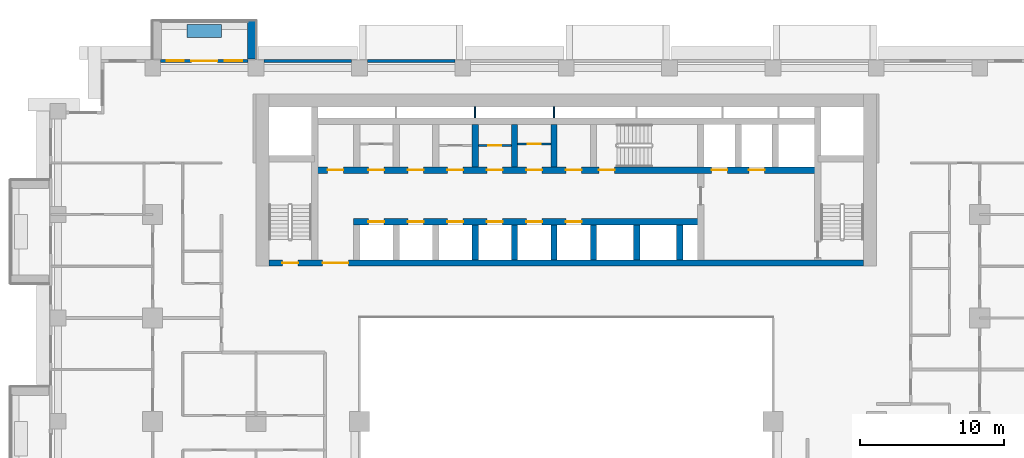
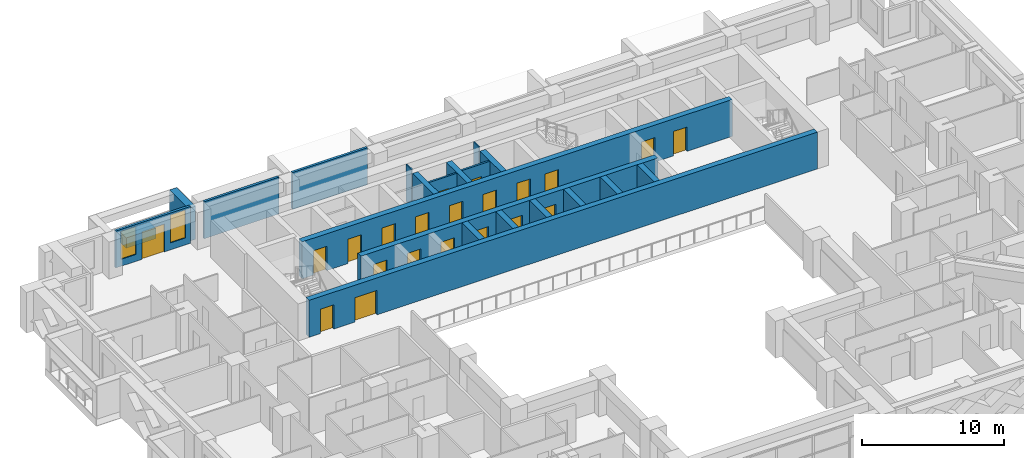
# One storey, part 10 of 17: 21 doors, 21 walls, 2 windows, 23 openings.
"""IFC4 building model written with IfcOpenShell, lengths in metres."""

import ifcopenshell
import ifcopenshell.guid

model = None  # the IFC model being written
_history = None  # IfcOwnerHistory: only IFC2X3 demands one
_inside = {}  # id of a spatial element -> (the spatial element, [elements in it])
_under = {}  # id of a project, library or spatial element -> (it, [spatial elements below it])
_declared = {}  # id of a project -> (the project, [libraries it declares])
_typed = {}  # id of a type object -> (the type object, [elements of that type])
_made_of = {}  # id of a material, layer set ... -> (it, [elements and type objects made of it])


def new_model(schema):
    """Start an empty IFC model of exactly this schema.

    Asked for "IFC4X3", IfcOpenShell would pick the latest addendum, in which some entities
    have other attributes; the version numbers below select the first issue.
    IFC2X3 requires an IfcOwnerHistory on every rooted entity: one is made here for all.
    """
    global model, _history
    if schema == "IFC4X3":
        model = ifcopenshell.file(schema_version=(4, 3, 0, 0))
    else:
        model = ifcopenshell.file(schema=schema)
    _inside.clear()
    _under.clear()
    _declared.clear()
    _typed.clear()
    _made_of.clear()
    _history = None
    if model.schema == "IFC2X3":
        org = make("IfcOrganization", Name="unknown")
        user = make(
            "IfcPersonAndOrganization",
            ThePerson=make("IfcPerson", FamilyName="unknown"),
            TheOrganization=org,
        )
        app = make(
            "IfcApplication",
            ApplicationDeveloper=org,
            Version="unknown",
            ApplicationFullName="unknown",
            ApplicationIdentifier="unknown",
        )
        _history = make(
            "IfcOwnerHistory",
            OwningUser=user,
            OwningApplication=app,
            ChangeAction="ADDED",
            CreationDate=0,
        )
    return model


def make(cls, **values):
    """One entity of the class cls with the attributes given. An attribute that is None is left unset."""
    return model.create_entity(
        cls, **{name: value for name, value in values.items() if value is not None}
    )


def rooted(cls, **values):
    """An entity with a GlobalId (a new one), such as an element, a storey or a relation."""
    return make(cls, GlobalId=ifcopenshell.guid.new(), OwnerHistory=_history, **values)


def si_unit(unit_type, name, prefix=None):
    """IfcSIUnit, for example si_unit("LENGTHUNIT", "METRE", prefix="MILLI")."""
    return make("IfcSIUnit", UnitType=unit_type, Prefix=prefix, Name=name)


def assignment(units):
    """IfcUnitAssignment: the units of a project."""
    return None if units is None else make("IfcUnitAssignment", Units=units)


def point(xyz):
    """IfcCartesianPoint."""
    return None if xyz is None else make("IfcCartesianPoint", Coordinates=xyz)


def direction(xyz):
    """IfcDirection."""
    return None if xyz is None else make("IfcDirection", DirectionRatios=xyz)


def frame(location, z_axis=None, x_axis=None):
    """IfcAxis2Placement3D, a coordinate frame: its origin and axes. An axis left out is left unset."""
    return make(
        "IfcAxis2Placement3D",
        Location=point(location),
        Axis=direction(z_axis),
        RefDirection=direction(x_axis),
    )


def frame_2d(location, x_axis=None):
    """IfcAxis2Placement2D, a coordinate frame in the plane: its origin and x axis."""
    return make(
        "IfcAxis2Placement2D", Location=point(location), RefDirection=direction(x_axis)
    )


def origin():
    """The frame at (0, 0, 0) with its axes left unset."""
    return frame((0.0, 0.0, 0.0))


def place(relative_to, where):
    """IfcLocalPlacement: puts the frame where relative to a parent placement (None: the world)."""
    return make(
        "IfcLocalPlacement", PlacementRelTo=relative_to, RelativePlacement=where
    )


def context(
    kind, dimensions, precision=None, world=None, true_north=None, identifier=None
):
    """IfcGeometricRepresentationContext, for example the 3D "Model" context."""
    return make(
        "IfcGeometricRepresentationContext",
        ContextIdentifier=identifier,
        ContextType=kind,
        CoordinateSpaceDimension=dimensions,
        Precision=precision,
        WorldCoordinateSystem=world,
        TrueNorth=true_north,
    )


def subcontext(parent, identifier, kind, view, scale=None):
    """IfcGeometricRepresentationSubContext, for example "Body" below "Model"."""
    return make(
        "IfcGeometricRepresentationSubContext",
        ContextIdentifier=identifier,
        ContextType=kind,
        ParentContext=parent,
        TargetScale=scale,
        TargetView=view,
    )


def project(units=None, contexts=None):
    """IfcProject with its units and contexts."""
    return rooted(
        "IfcProject",
        Name="project",
        RepresentationContexts=contexts,
        UnitsInContext=assignment(units),
    )


def spatial(cls, under=None, at=None, **own):
    """A site, building, storey or space (cls), placed at a placement, below another one or the project."""
    s = rooted(cls, ObjectPlacement=at, **own)
    if under is not None:
        _under.setdefault(under.id(), (under, []))[1].append(s)
    return s


def profile(cls, at=None, kind="AREA", **sizes):
    """A parametric profile (cls). Its sizes go by their IFC names, for example OverallWidth=200.0."""
    return make(cls, ProfileType=kind, Position=at, **sizes)


def rectangle(**sizes):
    """IfcRectangleProfileDef."""
    return profile("IfcRectangleProfileDef", **sizes)


def extrude(swept, where, along, depth):
    """IfcExtrudedAreaSolid: the profile swept, set in the frame where, extruded along a direction by depth."""
    return make(
        "IfcExtrudedAreaSolid",
        SweptArea=swept,
        Position=where,
        ExtrudedDirection=direction(along),
        Depth=depth,
    )


def shape(context_of_items, identifier, shape_type, items):
    """IfcShapeRepresentation: the items that make up one representation, for example the "Body"."""
    return make(
        "IfcShapeRepresentation",
        ContextOfItems=context_of_items,
        RepresentationIdentifier=identifier,
        RepresentationType=shape_type,
        Items=items,
    )


def material(Name=None, Category=None):
    """IfcMaterial."""
    return make("IfcMaterial", Name=Name, Category=Category)


def layer(
    of_material, thickness, ventilated=None, Name=None, Category=None, Priority=None
):
    """IfcMaterialLayer: one layer of a wall or slab, of a material (None: an air gap)."""
    return make(
        "IfcMaterialLayer",
        Material=of_material,
        LayerThickness=thickness,
        IsVentilated=ventilated,
        Name=Name,
        Category=Category,
        Priority=Priority,
    )


def layer_set(layers, Name=None):
    """IfcMaterialLayerSet."""
    return make("IfcMaterialLayerSet", MaterialLayers=layers, LayerSetName=Name)


def made_of(thing, what):
    """Note that an element or type object is made of a material, layer set ...; save() writes the relation."""
    if what is not None:
        _made_of.setdefault(what.id(), (what, []))[1].append(thing)
    return thing


def type_object(cls, material=None, **own):
    """A type object (cls), such as IfcWallType, which elements share."""
    return made_of(rooted(cls, **own), material)


def element(
    cls,
    number,
    at=None,
    inside=None,
    cuts=None,
    type_object=None,
    material=None,
    context=None,
    identifier="Body",
    shape_type=None,
    held_by="IfcProductDefinitionShape",
    body=None,
    shapes=None,
    **own,
):
    """One element of the class cls, such as IfcWall. Its Tag is "e" and its number.

    at: its placement. inside: the storey or other place that contains it. cuts: it is an
    opening in that element (IfcRelVoidsElement). A single representation is given by context,
    identifier, shape_type and body (its items); several are given by shapes. held_by: the class
    of the entity that holds the representations. save() writes the other relations.
    """
    e = rooted(cls, Tag="e%d" % number, ObjectPlacement=at, **own)
    if body is not None:
        shapes = [shape(context, identifier, shape_type, body)]
    if shapes is not None:
        e.Representation = make(held_by, Representations=shapes)
    if inside is not None:
        _inside.setdefault(inside.id(), (inside, []))[1].append(e)
    if cuts is not None:
        rooted(
            "IfcRelVoidsElement", RelatingBuildingElement=cuts, RelatedOpeningElement=e
        )
    if type_object is not None:
        _typed.setdefault(type_object.id(), (type_object, []))[1].append(e)
    return made_of(e, material)


def fill(opening, filler):
    """IfcRelFillsElement: the door or window that sits in an opening."""
    return rooted(
        "IfcRelFillsElement",
        RelatingOpeningElement=opening,
        RelatedBuildingElement=filler,
    )


def aggregate(whole, parts):
    """IfcRelAggregates: a whole, such as a stair, and the parts it consists of."""
    return rooted("IfcRelAggregates", RelatingObject=whole, RelatedObjects=parts)


def save(model, path):
    """Write the relations noted so far, then the file.

    IfcRelAggregates (storeys below a building ...), IfcRelContainedInSpatialStructure (elements
    in a storey), IfcRelDefinesByType, IfcRelAssociatesMaterial and IfcRelDeclares: one each for
    every whole, place, type object, material and project.
    """
    for whole, parts in _under.values():
        aggregate(whole, parts)
    for where, things in _inside.values():
        rooted(
            "IfcRelContainedInSpatialStructure",
            RelatedElements=things,
            RelatingStructure=where,
        )
    for kind, things in _typed.values():
        rooted("IfcRelDefinesByType", RelatedObjects=things, RelatingType=kind)
    for what, things in _made_of.values():
        rooted("IfcRelAssociatesMaterial", RelatedObjects=things, RelatingMaterial=what)
    for by, libraries in _declared.values():
        rooted("IfcRelDeclares", RelatingContext=by, RelatedDefinitions=libraries)
    model.write(path)


model = new_model("IFC4")

# Units and contexts
model_context = context("Model", 3, precision=1e-05, world=origin(), true_north=direction((0.0, 1.0)))
body_context = subcontext(model_context, "Body", "Model", "MODEL_VIEW")
ifc_project = project(units=[si_unit("LENGTHUNIT", "METRE"), si_unit("AREAUNIT", "SQUARE_METRE"), si_unit("VOLUMEUNIT", "CUBIC_METRE"), si_unit("PLANEANGLEUNIT", "RADIAN"), si_unit("MASSUNIT", "GRAM", prefix="KILO")], contexts=[model_context])

# Site, building, storey
site_placement = place(None, origin())
site = spatial("IfcSite", under=ifc_project, at=site_placement, CompositionType="ELEMENT")
building_placement = place(site_placement, origin())
building = spatial("IfcBuilding", under=site, at=building_placement, Name="Saffron Iwan Residences", CompositionType="ELEMENT")
storey_placement = place(building_placement, frame((0.0, 0.0, 34.0)))
storey = spatial("IfcBuildingStorey", under=building, at=storey_placement, Name="L07", CompositionType="ELEMENT", Elevation=34.0)

# Walls
ifc_material_1 = material(Name="Concrete C50/60 white painted", Category="concrete")
ifc_layer_1 = layer(ifc_material_1, 0.60009765625)
ifc_layer_set_1 = layer_set([ifc_layer_1], Name="Concrete C50/60 white painted")
wall_type_1 = type_object("IfcWallType", Name="BALCONY FIN 600", PredefinedType="SOLIDWALL", material=ifc_layer_set_1)
wall_1_placement = place(storey_placement, frame((28.5, 80.449951171875, 0.0), z_axis=(0.0, 0.0, 1.0), x_axis=(0.0, 1.0, 0.0)))
element("IfcWall", 1, at=wall_1_placement, inside=storey, type_object=wall_type_1, Name="Balcony fin L07 F5-3a", PredefinedType="SOLIDWALL", context=body_context, shape_type="SweptSolid", body=[
    extrude(rectangle(XDim=2.650146484375, YDim=0.60009765625, at=frame_2d((1.3251953125, 0.0))), origin(), (0.0, 0.0, 1.0), 2.85009765625),
])
ifc_material_2 = material(Name="Concrete C35/45 white painted", Category="concrete")
ifc_layer_2 = layer(ifc_material_2, 0.14990234375)
ifc_layer_set_2 = layer_set([ifc_layer_2], Name="Concrete C35/45 white painted")
wall_type_2 = type_object("IfcWallType", Name="BALCONY PLANTER", PredefinedType="SOLIDWALL", material=ifc_layer_set_2)
wall_2_placement = place(storey_placement, frame((26.39990234375, 82.375, 0.0), z_axis=(0.0, 0.0, 1.0), x_axis=(-1.0, 0.0, 0.0)))
element("IfcWall", 2, at=wall_2_placement, inside=storey, type_object=wall_type_2, Name="PLANTER L07 F5-3", PredefinedType="SOLIDWALL", context=body_context, shape_type="SweptSolid", body=[
    extrude(rectangle(XDim=2.39990234375, YDim=0.89990234375, at=frame_2d((1.199951171875, 0.0))), origin(), (0.0, 0.0, 1.0), 0.89990234375),
])

# Wall, opening, door
ifc_material_3 = material(Name="Fire-rated plasterboard partition")
ifc_layer_3 = layer(ifc_material_3, 0.14990234375)
ifc_layer_set_3 = layer_set([ifc_layer_3], Name="Fire-rated plasterboard partition")
wall_type_3 = type_object("IfcWallType", Name="Core partition 150", PredefinedType="PARTITIONING", material=ifc_layer_set_3)
wall_3_placement = place(storey_placement, frame((44.27490234375, 74.39990234375, 0.0), z_axis=(0.0, 0.0, 1.0), x_axis=(1.0, 0.0, 0.0)))
wall_3 = element("IfcWall", 3, at=wall_3_placement, inside=storey, type_object=wall_type_3, Name="Core partition P03", PredefinedType="PARTITIONING", context=body_context, shape_type="SweptSolid", body=[
    extrude(rectangle(XDim=2.300048828125, YDim=0.14990234375, at=frame_2d((1.14990234375, 0.0))), origin(), (0.0, 0.0, 1.0), 3.179931640625),
])
opening_1_placement = place(wall_3_placement, frame((0.699951171875, 0.0, 0.0)))
opening_1 = element("IfcOpeningElement", 4, at=opening_1_placement, cuts=wall_3, Name="Opening SB", PredefinedType="OPENING", context=body_context, shape_type="SweptSolid", body=[
    extrude(rectangle(XDim=0.89990234375, YDim=2.10009765625, at=frame_2d((0.449951171875, 1.050048828125))), frame((0.0, 0.0849609375, 0.0), z_axis=(0.0, -1.0, 0.0), x_axis=(1.0, 0.0, 0.0)), (0.0, 0.0, 1.0), 0.169921875),
])
ifc_material_4 = material(Name="Steel fire door", Category="steel")
door_type_1 = type_object("IfcDoorType", Name="Store door 900", OperationType="NOTDEFINED", PredefinedType="DOOR", material=ifc_material_4)
door_1_placement = place(opening_1_placement, origin())
door_1 = element("IfcDoor", 5, at=door_1_placement, inside=storey, type_object=door_type_1, Name="Door Cabling room", OperationType="SINGLE_SWING_RIGHT", OverallHeight=2.10009765625, OverallWidth=0.89990234375, PredefinedType="DOOR", context=body_context, shape_type="SweptSolid", body=[
    extrude(rectangle(XDim=0.89990234375, YDim=2.10009765625, at=frame_2d((0.449951171875, 1.050048828125))), frame((0.0, 0.02490234375, 0.0), z_axis=(0.0, -1.0, 0.0), x_axis=(1.0, 0.0, 0.0)), (0.0, 0.0, 1.0), 0.050048828125),
])
fill(opening_1, door_1)

wall_4_placement = place(storey_placement, frame((47.02490234375, 74.51806640625, 0.0), z_axis=(0.0, 0.0, 1.0), x_axis=(1.0, 0.0, 0.0)))
wall_4 = element("IfcWall", 6, at=wall_4_placement, inside=storey, type_object=wall_type_3, Name="Core partition P04", PredefinedType="PARTITIONING", context=body_context, shape_type="SweptSolid", body=[
    extrude(rectangle(XDim=2.300048828125, YDim=0.14990234375, at=frame_2d((1.14990234375, 0.0))), origin(), (0.0, 0.0, 1.0), 3.179931640625),
])
opening_2_placement = place(wall_4_placement, frame((0.699951171875, 0.0, 0.0)))
opening_2 = element("IfcOpeningElement", 7, at=opening_2_placement, cuts=wall_4, Name="Opening SB", PredefinedType="OPENING", context=body_context, shape_type="SweptSolid", body=[
    extrude(rectangle(XDim=0.89990234375, YDim=2.10009765625, at=frame_2d((0.449951171875, 1.050048828125))), frame((0.0, 0.0849609375, 0.0), z_axis=(0.0, -1.0, 0.0), x_axis=(1.0, 0.0, 0.0)), (0.0, 0.0, 1.0), 0.169921875),
])
door_2_placement = place(opening_2_placement, origin())
door_2 = element("IfcDoor", 8, at=door_2_placement, inside=storey, type_object=door_type_1, Name="Door Equipment store", OperationType="SINGLE_SWING_RIGHT", OverallHeight=2.10009765625, OverallWidth=0.89990234375, PredefinedType="DOOR", context=body_context, shape_type="SweptSolid", body=[
    extrude(rectangle(XDim=0.89990234375, YDim=2.10009765625, at=frame_2d((0.449951171875, 1.050048828125))), frame((0.0, 0.02490234375, 0.0), z_axis=(0.0, -1.0, 0.0), x_axis=(1.0, 0.0, 0.0)), (0.0, 0.0, 1.0), 0.050048828125),
])
fill(opening_2, door_2)

# Walls
ifc_material_5 = material(Name="Concrete C40/50", Category="concrete")
ifc_layer_4 = layer(ifc_material_5, 0.199951171875)
ifc_layer_set_4 = layer_set([ifc_layer_4], Name="Concrete C40/50")
wall_type_4 = type_object("IfcWallType", Name="EXTERNAL WALL 200", PredefinedType="SOLIDWALL", material=ifc_layer_set_4)
for number, where, z_axis, x_axis, name in (
    (9, (42.64990234375, 80.300048828125, 0.0), (0.0, 0.0, 1.0), (-1.0, 0.0, 0.0), "External wall L07 F5.6"),
    (10, (35.449951171875, 80.300048828125, 0.0), (0.0, 0.0, 1.0), (-1.0, 0.0, 0.0), "External wall L07 F5.7"),
):
    element("IfcWall", number, at=place(storey_placement, frame(where, z_axis=z_axis, x_axis=x_axis)), inside=storey, type_object=wall_type_4, Name=name, PredefinedType="SOLIDWALL", context=body_context, shape_type="SweptSolid", body=[
        extrude(rectangle(XDim=6.099853515625, YDim=0.199951171875, at=frame_2d((3.0498046875, 0.0))), origin(), (0.0, 0.0, 1.0), 3.179931640625),
    ])

# Wall, openings, door, windows
wall_5_placement = place(storey_placement, frame((28.25, 80.300048828125, 0.0), z_axis=(0.0, 0.0, 1.0), x_axis=(-1.0, 0.0, 0.0)))
wall_5 = element("IfcWall", 11, at=wall_5_placement, inside=storey, type_object=wall_type_4, Name="External wall L07 F5.8", PredefinedType="SOLIDWALL", context=body_context, shape_type="SweptSolid", body=[
    extrude(rectangle(XDim=6.10009765625, YDim=0.199951171875, at=frame_2d((3.050048828125, 0.0))), origin(), (0.0, 0.0, 1.0), 3.179931640625),
])
opening_3_placement = place(wall_5_placement, frame((2.14990234375, 0.0, 0.0)))
opening_3 = element("IfcOpeningElement", 12, at=opening_3_placement, cuts=wall_5, Name="Opening BD1", PredefinedType="OPENING", context=body_context, shape_type="SweptSolid", body=[
    extrude(rectangle(XDim=1.800048828125, YDim=2.39990234375, at=frame_2d((0.89990234375, 1.199951171875))), frame((0.0, 0.10986328125, 0.0), z_axis=(0.0, -1.0, 0.0), x_axis=(1.0, 0.0, 0.0)), (0.0, 0.0, 1.0), 0.219970703125),
])
opening_4_placement = place(wall_5_placement, frame((0.425048828125, 0.0, 0.60009765625)))
opening_4 = element("IfcOpeningElement", 13, at=opening_4_placement, cuts=wall_5, Name="Opening W3", PredefinedType="OPENING", context=body_context, shape_type="SweptSolid", body=[
    extrude(rectangle(XDim=1.199951171875, YDim=2.39990234375, at=frame_2d((0.60009765625, 1.199951171875))), frame((0.0, 0.10986328125, 0.0), z_axis=(0.0, -1.0, 0.0), x_axis=(1.0, 0.0, 0.0)), (0.0, 0.0, 1.0), 0.219970703125),
])
opening_5_placement = place(wall_5_placement, frame((4.47509765625, 0.0, 0.60009765625)))
opening_5 = element("IfcOpeningElement", 14, at=opening_5_placement, cuts=wall_5, Name="Opening W3", PredefinedType="OPENING", context=body_context, shape_type="SweptSolid", body=[
    extrude(rectangle(XDim=1.199951171875, YDim=2.39990234375, at=frame_2d((0.60009765625, 1.199951171875))), frame((0.0, 0.10986328125, 0.0), z_axis=(0.0, -1.0, 0.0), x_axis=(1.0, 0.0, 0.0)), (0.0, 0.0, 1.0), 0.219970703125),
])
ifc_material_6 = material(Name="Clear glass, laminated double glazed", Category="glass")
door_type_2 = type_object("IfcDoorType", Name="BALCONY DOOR 1800 x 2400", OperationType="DOUBLE_DOOR_SLIDING", PredefinedType="DOOR", material=ifc_material_6)
door_3_placement = place(opening_3_placement, origin())
door_3 = element("IfcDoor", 15, at=door_3_placement, inside=storey, type_object=door_type_2, Name="Balcony door L07 F5.0", OperationType="DOUBLE_DOOR_SLIDING", OverallHeight=2.39990234375, OverallWidth=1.800048828125, PredefinedType="DOOR", context=body_context, shape_type="SweptSolid", body=[
    extrude(rectangle(XDim=1.800048828125, YDim=2.39990234375, at=frame_2d((0.89990234375, 1.199951171875))), frame((0.0, 0.02490234375, 0.0), z_axis=(0.0, -1.0, 0.0), x_axis=(1.0, 0.0, 0.0)), (0.0, 0.0, 1.0), 0.050048828125),
])
fill(opening_3, door_3)
window_type = type_object("IfcWindowType", Name="WINDOW 1200 x 2400", PartitioningType="SINGLE_PANEL", PredefinedType="WINDOW", material=ifc_material_6)
window_1_placement = place(opening_4_placement, origin())
window_1 = element("IfcWindow", 16, at=window_1_placement, inside=storey, type_object=window_type, Name="Window L07 F5.1", OverallHeight=2.39990234375, OverallWidth=1.199951171875, PartitioningType="SINGLE_PANEL", PredefinedType="WINDOW", context=body_context, shape_type="SweptSolid", body=[
    extrude(rectangle(XDim=1.199951171875, YDim=2.39990234375, at=frame_2d((0.60009765625, 1.199951171875))), frame((0.0, 0.030029296875, 0.0), z_axis=(0.0, -1.0, 0.0), x_axis=(1.0, 0.0, 0.0)), (0.0, 0.0, 1.0), 0.06005859375),
])
fill(opening_4, window_1)
window_2_placement = place(opening_5_placement, origin())
window_2 = element("IfcWindow", 17, at=window_2_placement, inside=storey, type_object=window_type, Name="Window L07 F5.2", OverallHeight=2.39990234375, OverallWidth=1.199951171875, PartitioningType="SINGLE_PANEL", PredefinedType="WINDOW", context=body_context, shape_type="SweptSolid", body=[
    extrude(rectangle(XDim=1.199951171875, YDim=2.39990234375, at=frame_2d((0.60009765625, 1.199951171875))), frame((0.0, 0.030029296875, 0.0), z_axis=(0.0, -1.0, 0.0), x_axis=(1.0, 0.0, 0.0)), (0.0, 0.0, 1.0), 0.06005859375),
])
fill(opening_5, window_2)

# Walls
ifc_layer_5 = layer(ifc_material_3, 0.10009765625)
ifc_layer_set_5 = layer_set([ifc_layer_5], Name="Fire-rated plasterboard partition")
wall_type_5 = type_object("IfcWallType", Name="Riser partition 100", PredefinedType="PARTITIONING", material=ifc_layer_set_5)
for number, where, z_axis, x_axis, name in (
    (18, (44.050048828125, 76.324951171875, 0.0), (0.0, 0.0, 1.0), (0.0, 1.0, 0.0), "Core partition P06"),
    (19, (49.550048828125, 76.324951171875, 0.0), (0.0, 0.0, 1.0), (0.0, 1.0, 0.0), "Core partition P07"),
):
    element("IfcWall", number, at=place(storey_placement, frame(where, z_axis=z_axis, x_axis=x_axis)), inside=storey, type_object=wall_type_5, Name=name, PredefinedType="PARTITIONING", context=body_context, shape_type="SweptSolid", body=[
        extrude(rectangle(XDim=0.775146484375, YDim=0.10009765625, at=frame_2d((0.3876953125, 0.0))), origin(), (0.0, 0.0, 1.0), 3.179931640625),
    ])

# Wall, openings, doors
ifc_material_7 = material(Name="Concrete C60/75", Category="concrete")
ifc_layer_6 = layer(ifc_material_7, 0.449951171875)
ifc_layer_set_6 = layer_set([ifc_layer_6], Name="Concrete C60/75")
wall_type_6 = type_object("IfcWallType", Name="WALL CORE 450 C60/75 3180 HIGH", PredefinedType="SHEAR", material=ifc_layer_set_6)
wall_6_placement = place(storey_placement, frame((29.699951171875, 66.22509765625, 0.0), z_axis=(0.0, 0.0, 1.0), x_axis=(1.0, 0.0, 0.0)))
wall_6 = element("IfcWall", 20, at=wall_6_placement, inside=storey, type_object=wall_type_6, Name="Core wall", PredefinedType="SHEAR", context=body_context, shape_type="SweptSolid", body=[
    extrude(rectangle(XDim=41.400146484375, YDim=0.449951171875, at=frame_2d((20.7001953125, 0.0))), origin(), (0.0, 0.0, 1.0), 3.179931640625),
])
opening_6_placement = place(wall_6_placement, frame((0.925048828125, 0.0, 0.0)))
opening_6 = element("IfcOpeningElement", 21, at=opening_6_placement, cuts=wall_6, Name="Opening SD", PredefinedType="OPENING", context=body_context, shape_type="SweptSolid", body=[
    extrude(rectangle(XDim=1.10009765625, YDim=2.10009765625, at=frame_2d((0.550048828125, 1.050048828125))), frame((0.0, 0.23486328125, 0.0), z_axis=(0.0, -1.0, 0.0), x_axis=(1.0, 0.0, 0.0)), (0.0, 0.0, 1.0), 0.469970703125),
])
opening_7_placement = place(wall_6_placement, frame((3.737548828125, 0.0, 0.0)))
opening_7 = element("IfcOpeningElement", 22, at=opening_7_placement, cuts=wall_6, Name="Opening DD", PredefinedType="OPENING", context=body_context, shape_type="SweptSolid", body=[
    extrude(rectangle(XDim=1.800048828125, YDim=2.10009765625, at=frame_2d((0.89990234375, 1.050048828125))), frame((0.0, 0.23486328125, 0.0), z_axis=(0.0, -1.0, 0.0), x_axis=(1.0, 0.0, 0.0)), (0.0, 0.0, 1.0), 0.469970703125),
])
door_type_3 = type_object("IfcDoorType", Name="Lobby double door 1800", OperationType="DOUBLE_DOOR_SINGLE_SWING", PredefinedType="DOOR", material=ifc_material_4)
door_4_placement = place(opening_7_placement, origin())
door_4 = element("IfcDoor", 23, at=door_4_placement, inside=storey, type_object=door_type_3, Name="Lobby doors", OperationType="DOUBLE_DOOR_SINGLE_SWING", OverallHeight=2.10009765625, OverallWidth=1.800048828125, PredefinedType="DOOR", context=body_context, shape_type="SweptSolid", body=[
    extrude(rectangle(XDim=1.800048828125, YDim=2.10009765625, at=frame_2d((0.89990234375, 1.050048828125))), frame((0.0, 0.02490234375, 0.0), z_axis=(0.0, -1.0, 0.0), x_axis=(1.0, 0.0, 0.0)), (0.0, 0.0, 1.0), 0.050048828125),
])
fill(opening_7, door_4)
door_type_4 = type_object("IfcDoorType", Name="Stair door 1100", OperationType="NOTDEFINED", PredefinedType="DOOR", material=ifc_material_4)
door_5_placement = place(opening_6_placement, origin())
door_5 = element("IfcDoor", 24, at=door_5_placement, inside=storey, type_object=door_type_4, Name="Stair door ST-W", OperationType="SINGLE_SWING_LEFT", OverallHeight=2.10009765625, OverallWidth=1.10009765625, PredefinedType="DOOR", context=body_context, shape_type="SweptSolid", body=[
    extrude(rectangle(XDim=1.10009765625, YDim=2.10009765625, at=frame_2d((0.550048828125, 1.050048828125))), frame((0.0, 0.02490234375, 0.0), z_axis=(0.0, -1.0, 0.0), x_axis=(1.0, 0.0, 0.0)), (0.0, 0.0, 1.0), 0.050048828125),
])
fill(opening_6, door_5)

wall_7_placement = place(storey_placement, frame((35.574951171875, 69.10009765625, 0.0), z_axis=(0.0, 0.0, 1.0), x_axis=(1.0, 0.0, 0.0)))
wall_7 = element("IfcWall", 25, at=wall_7_placement, inside=storey, type_object=wall_type_6, Name="Core wall", PredefinedType="SHEAR", context=body_context, shape_type="SweptSolid", body=[
    extrude(rectangle(XDim=24.199951171875, YDim=0.449951171875, at=frame_2d((12.10009765625, 0.0))), origin(), (0.0, 0.0, 1.0), 3.179931640625),
])
opening_8_placement = place(wall_7_placement, frame((1.050048828125, 0.0, 0.0)))
opening_8 = element("IfcOpeningElement", 26, at=opening_8_placement, cuts=wall_7, Name="Opening LD", PredefinedType="OPENING", context=body_context, shape_type="SweptSolid", body=[
    extrude(rectangle(XDim=1.10009765625, YDim=2.10009765625, at=frame_2d((0.550048828125, 1.050048828125))), frame((0.0, 0.23486328125, 0.0), z_axis=(0.0, -1.0, 0.0), x_axis=(1.0, 0.0, 0.0)), (0.0, 0.0, 1.0), 0.469970703125),
])
opening_9_placement = place(wall_7_placement, frame((3.800048828125, 0.0, 0.0)))
opening_9 = element("IfcOpeningElement", 27, at=opening_9_placement, cuts=wall_7, Name="Opening LD", PredefinedType="OPENING", context=body_context, shape_type="SweptSolid", body=[
    extrude(rectangle(XDim=1.10009765625, YDim=2.10009765625, at=frame_2d((0.550048828125, 1.050048828125))), frame((0.0, 0.23486328125, 0.0), z_axis=(0.0, -1.0, 0.0), x_axis=(1.0, 0.0, 0.0)), (0.0, 0.0, 1.0), 0.469970703125),
])
opening_10_placement = place(wall_7_placement, frame((6.550048828125, 0.0, 0.0)))
opening_10 = element("IfcOpeningElement", 28, at=opening_10_placement, cuts=wall_7, Name="Opening LD", PredefinedType="OPENING", context=body_context, shape_type="SweptSolid", body=[
    extrude(rectangle(XDim=1.10009765625, YDim=2.10009765625, at=frame_2d((0.550048828125, 1.050048828125))), frame((0.0, 0.23486328125, 0.0), z_axis=(0.0, -1.0, 0.0), x_axis=(1.0, 0.0, 0.0)), (0.0, 0.0, 1.0), 0.469970703125),
])
opening_11_placement = place(wall_7_placement, frame((9.300048828125, 0.0, 0.0)))
opening_11 = element("IfcOpeningElement", 29, at=opening_11_placement, cuts=wall_7, Name="Opening LD", PredefinedType="OPENING", context=body_context, shape_type="SweptSolid", body=[
    extrude(rectangle(XDim=1.10009765625, YDim=2.10009765625, at=frame_2d((0.550048828125, 1.050048828125))), frame((0.0, 0.23486328125, 0.0), z_axis=(0.0, -1.0, 0.0), x_axis=(1.0, 0.0, 0.0)), (0.0, 0.0, 1.0), 0.469970703125),
])
opening_12_placement = place(wall_7_placement, frame((12.050048828125, 0.0, 0.0)))
opening_12 = element("IfcOpeningElement", 30, at=opening_12_placement, cuts=wall_7, Name="Opening LD", PredefinedType="OPENING", context=body_context, shape_type="SweptSolid", body=[
    extrude(rectangle(XDim=1.10009765625, YDim=2.10009765625, at=frame_2d((0.550048828125, 1.050048828125))), frame((0.0, 0.23486328125, 0.0), z_axis=(0.0, -1.0, 0.0), x_axis=(1.0, 0.0, 0.0)), (0.0, 0.0, 1.0), 0.469970703125),
])
opening_13_placement = place(wall_7_placement, frame((14.800048828125, 0.0, 0.0)))
opening_13 = element("IfcOpeningElement", 31, at=opening_13_placement, cuts=wall_7, Name="Opening LD", PredefinedType="OPENING", context=body_context, shape_type="SweptSolid", body=[
    extrude(rectangle(XDim=1.10009765625, YDim=2.10009765625, at=frame_2d((0.550048828125, 1.050048828125))), frame((0.0, 0.23486328125, 0.0), z_axis=(0.0, -1.0, 0.0), x_axis=(1.0, 0.0, 0.0)), (0.0, 0.0, 1.0), 0.469970703125),
])
door_type_5 = type_object("IfcDoorType", Name="Lift landing door 1100", OperationType="SLIDING_TO_LEFT", PredefinedType="DOOR", material=ifc_material_4)
door_6_placement = place(opening_8_placement, origin())
door_6 = element("IfcDoor", 32, at=door_6_placement, inside=storey, type_object=door_type_5, Name="Landing doors LR1", OperationType="SLIDING_TO_LEFT", OverallHeight=2.10009765625, OverallWidth=1.10009765625, PredefinedType="DOOR", context=body_context, shape_type="SweptSolid", body=[
    extrude(rectangle(XDim=1.10009765625, YDim=2.10009765625, at=frame_2d((0.550048828125, 1.050048828125))), frame((0.0, 0.02490234375, 0.0), z_axis=(0.0, -1.0, 0.0), x_axis=(1.0, 0.0, 0.0)), (0.0, 0.0, 1.0), 0.050048828125),
])
fill(opening_8, door_6)
door_7_placement = place(opening_9_placement, origin())
door_7 = element("IfcDoor", 33, at=door_7_placement, inside=storey, type_object=door_type_5, Name="Landing doors LR2", OperationType="SLIDING_TO_LEFT", OverallHeight=2.10009765625, OverallWidth=1.10009765625, PredefinedType="DOOR", context=body_context, shape_type="SweptSolid", body=[
    extrude(rectangle(XDim=1.10009765625, YDim=2.10009765625, at=frame_2d((0.550048828125, 1.050048828125))), frame((0.0, 0.02490234375, 0.0), z_axis=(0.0, -1.0, 0.0), x_axis=(1.0, 0.0, 0.0)), (0.0, 0.0, 1.0), 0.050048828125),
])
fill(opening_9, door_7)
door_8_placement = place(opening_10_placement, origin())
door_8 = element("IfcDoor", 34, at=door_8_placement, inside=storey, type_object=door_type_5, Name="Landing doors LR3", OperationType="SLIDING_TO_LEFT", OverallHeight=2.10009765625, OverallWidth=1.10009765625, PredefinedType="DOOR", context=body_context, shape_type="SweptSolid", body=[
    extrude(rectangle(XDim=1.10009765625, YDim=2.10009765625, at=frame_2d((0.550048828125, 1.050048828125))), frame((0.0, 0.02490234375, 0.0), z_axis=(0.0, -1.0, 0.0), x_axis=(1.0, 0.0, 0.0)), (0.0, 0.0, 1.0), 0.050048828125),
])
fill(opening_10, door_8)
door_9_placement = place(opening_11_placement, origin())
door_9 = element("IfcDoor", 35, at=door_9_placement, inside=storey, type_object=door_type_5, Name="Landing doors LR4", OperationType="SLIDING_TO_LEFT", OverallHeight=2.10009765625, OverallWidth=1.10009765625, PredefinedType="DOOR", context=body_context, shape_type="SweptSolid", body=[
    extrude(rectangle(XDim=1.10009765625, YDim=2.10009765625, at=frame_2d((0.550048828125, 1.050048828125))), frame((0.0, 0.02490234375, 0.0), z_axis=(0.0, -1.0, 0.0), x_axis=(1.0, 0.0, 0.0)), (0.0, 0.0, 1.0), 0.050048828125),
])
fill(opening_11, door_9)
door_10_placement = place(opening_12_placement, origin())
door_10 = element("IfcDoor", 36, at=door_10_placement, inside=storey, type_object=door_type_5, Name="Landing doors LR5", OperationType="SLIDING_TO_LEFT", OverallHeight=2.10009765625, OverallWidth=1.10009765625, PredefinedType="DOOR", context=body_context, shape_type="SweptSolid", body=[
    extrude(rectangle(XDim=1.10009765625, YDim=2.10009765625, at=frame_2d((0.550048828125, 1.050048828125))), frame((0.0, 0.02490234375, 0.0), z_axis=(0.0, -1.0, 0.0), x_axis=(1.0, 0.0, 0.0)), (0.0, 0.0, 1.0), 0.050048828125),
])
fill(opening_12, door_10)
door_11_placement = place(opening_13_placement, origin())
door_11 = element("IfcDoor", 37, at=door_11_placement, inside=storey, type_object=door_type_5, Name="Landing doors LR6", OperationType="SLIDING_TO_LEFT", OverallHeight=2.10009765625, OverallWidth=1.10009765625, PredefinedType="DOOR", context=body_context, shape_type="SweptSolid", body=[
    extrude(rectangle(XDim=1.10009765625, YDim=2.10009765625, at=frame_2d((0.550048828125, 1.050048828125))), frame((0.0, 0.02490234375, 0.0), z_axis=(0.0, -1.0, 0.0), x_axis=(1.0, 0.0, 0.0)), (0.0, 0.0, 1.0), 0.050048828125),
])
fill(opening_13, door_11)

wall_8_placement = place(storey_placement, frame((32.875, 72.699951171875, 0.0), z_axis=(0.0, 0.0, 1.0), x_axis=(1.0, 0.0, 0.0)))
wall_8 = element("IfcWall", 38, at=wall_8_placement, inside=storey, type_object=wall_type_6, Name="Core wall", PredefinedType="SHEAR", context=body_context, shape_type="SweptSolid", body=[
    extrude(rectangle(XDim=35.050048828125, YDim=0.449951171875, at=frame_2d((17.52490234375, 0.0))), origin(), (0.0, 0.0, 1.0), 3.179931640625),
])
opening_14_placement = place(wall_8_placement, frame((19.800048828125, 0.0, 0.0)))
opening_14 = element("IfcOpeningElement", 39, at=opening_14_placement, cuts=wall_8, Name="Opening SD", PredefinedType="OPENING", context=body_context, shape_type="SweptSolid", body=[
    extrude(rectangle(XDim=1.10009765625, YDim=2.10009765625, at=frame_2d((0.550048828125, 1.050048828125))), frame((0.0, 0.23486328125, 0.0), z_axis=(0.0, -1.0, 0.0), x_axis=(1.0, 0.0, 0.0)), (0.0, 0.0, 1.0), 0.469970703125),
])
opening_15_placement = place(wall_8_placement, frame((27.64990234375, 0.0, 0.0)))
opening_15 = element("IfcOpeningElement", 40, at=opening_15_placement, cuts=wall_8, Name="Opening LD", PredefinedType="OPENING", context=body_context, shape_type="SweptSolid", body=[
    extrude(rectangle(XDim=1.10009765625, YDim=2.10009765625, at=frame_2d((0.550048828125, 1.050048828125))), frame((0.0, 0.23486328125, 0.0), z_axis=(0.0, -1.0, 0.0), x_axis=(1.0, 0.0, 0.0)), (0.0, 0.0, 1.0), 0.469970703125),
])
opening_16_placement = place(wall_8_placement, frame((30.25, 0.0, 0.0)))
opening_16 = element("IfcOpeningElement", 41, at=opening_16_placement, cuts=wall_8, Name="Opening LD", PredefinedType="OPENING", context=body_context, shape_type="SweptSolid", body=[
    extrude(rectangle(XDim=1.10009765625, YDim=2.10009765625, at=frame_2d((0.550048828125, 1.050048828125))), frame((0.0, 0.23486328125, 0.0), z_axis=(0.0, -1.0, 0.0), x_axis=(1.0, 0.0, 0.0)), (0.0, 0.0, 1.0), 0.469970703125),
])
opening_17_placement = place(wall_8_placement, frame((3.75, 0.0, 0.0)))
opening_17 = element("IfcOpeningElement", 42, at=opening_17_placement, cuts=wall_8, Name="Opening SR", PredefinedType="OPENING", context=body_context, shape_type="SweptSolid", body=[
    extrude(rectangle(XDim=1.10009765625, YDim=2.10009765625, at=frame_2d((0.550048828125, 1.050048828125))), frame((0.0, 0.23486328125, 0.0), z_axis=(0.0, -1.0, 0.0), x_axis=(1.0, 0.0, 0.0)), (0.0, 0.0, 1.0), 0.469970703125),
])
opening_18_placement = place(wall_8_placement, frame((6.5, 0.0, 0.0)))
opening_18 = element("IfcOpeningElement", 43, at=opening_18_placement, cuts=wall_8, Name="Opening SR", PredefinedType="OPENING", context=body_context, shape_type="SweptSolid", body=[
    extrude(rectangle(XDim=1.10009765625, YDim=2.10009765625, at=frame_2d((0.550048828125, 1.050048828125))), frame((0.0, 0.23486328125, 0.0), z_axis=(0.0, -1.0, 0.0), x_axis=(1.0, 0.0, 0.0)), (0.0, 0.0, 1.0), 0.469970703125),
])
opening_19_placement = place(wall_8_placement, frame((9.25, 0.0, 0.0)))
opening_19 = element("IfcOpeningElement", 44, at=opening_19_placement, cuts=wall_8, Name="Opening SR", PredefinedType="OPENING", context=body_context, shape_type="SweptSolid", body=[
    extrude(rectangle(XDim=1.10009765625, YDim=2.10009765625, at=frame_2d((0.550048828125, 1.050048828125))), frame((0.0, 0.23486328125, 0.0), z_axis=(0.0, -1.0, 0.0), x_axis=(1.0, 0.0, 0.0)), (0.0, 0.0, 1.0), 0.469970703125),
])
opening_20_placement = place(wall_8_placement, frame((12.0, 0.0, 0.0)))
opening_20 = element("IfcOpeningElement", 45, at=opening_20_placement, cuts=wall_8, Name="Opening SR", PredefinedType="OPENING", context=body_context, shape_type="SweptSolid", body=[
    extrude(rectangle(XDim=1.10009765625, YDim=2.10009765625, at=frame_2d((0.550048828125, 1.050048828125))), frame((0.0, 0.23486328125, 0.0), z_axis=(0.0, -1.0, 0.0), x_axis=(1.0, 0.0, 0.0)), (0.0, 0.0, 1.0), 0.469970703125),
])
opening_21_placement = place(wall_8_placement, frame((14.75, 0.0, 0.0)))
opening_21 = element("IfcOpeningElement", 46, at=opening_21_placement, cuts=wall_8, Name="Opening SR", PredefinedType="OPENING", context=body_context, shape_type="SweptSolid", body=[
    extrude(rectangle(XDim=1.10009765625, YDim=2.10009765625, at=frame_2d((0.550048828125, 1.050048828125))), frame((0.0, 0.23486328125, 0.0), z_axis=(0.0, -1.0, 0.0), x_axis=(1.0, 0.0, 0.0)), (0.0, 0.0, 1.0), 0.469970703125),
])
opening_22_placement = place(wall_8_placement, frame((17.5, 0.0, 0.0)))
opening_22 = element("IfcOpeningElement", 47, at=opening_22_placement, cuts=wall_8, Name="Opening SR", PredefinedType="OPENING", context=body_context, shape_type="SweptSolid", body=[
    extrude(rectangle(XDim=1.10009765625, YDim=2.10009765625, at=frame_2d((0.550048828125, 1.050048828125))), frame((0.0, 0.23486328125, 0.0), z_axis=(0.0, -1.0, 0.0), x_axis=(1.0, 0.0, 0.0)), (0.0, 0.0, 1.0), 0.469970703125),
])
opening_23_placement = place(wall_8_placement, frame((0.91259765625, 0.0, 0.0)))
opening_23 = element("IfcOpeningElement", 48, at=opening_23_placement, cuts=wall_8, Name="Opening SR", PredefinedType="OPENING", context=body_context, shape_type="SweptSolid", body=[
    extrude(rectangle(XDim=1.10009765625, YDim=2.10009765625, at=frame_2d((0.550048828125, 1.050048828125))), frame((0.0, 0.23486328125, 0.0), z_axis=(0.0, -1.0, 0.0), x_axis=(1.0, 0.0, 0.0)), (0.0, 0.0, 1.0), 0.469970703125),
])
door_12_placement = place(opening_15_placement, origin())
door_12 = element("IfcDoor", 49, at=door_12_placement, inside=storey, type_object=door_type_5, Name="Landing doors FF1", OperationType="SLIDING_TO_LEFT", OverallHeight=2.10009765625, OverallWidth=1.10009765625, PredefinedType="DOOR", context=body_context, shape_type="SweptSolid", body=[
    extrude(rectangle(XDim=1.10009765625, YDim=2.10009765625, at=frame_2d((0.550048828125, 1.050048828125))), frame((0.0, 0.02490234375, 0.0), z_axis=(0.0, -1.0, 0.0), x_axis=(1.0, 0.0, 0.0)), (0.0, 0.0, 1.0), 0.050048828125),
])
fill(opening_15, door_12)
door_13_placement = place(opening_16_placement, origin())
door_13 = element("IfcDoor", 50, at=door_13_placement, inside=storey, type_object=door_type_5, Name="Landing doors FF2", OperationType="SLIDING_TO_LEFT", OverallHeight=2.10009765625, OverallWidth=1.10009765625, PredefinedType="DOOR", context=body_context, shape_type="SweptSolid", body=[
    extrude(rectangle(XDim=1.10009765625, YDim=2.10009765625, at=frame_2d((0.550048828125, 1.050048828125))), frame((0.0, 0.02490234375, 0.0), z_axis=(0.0, -1.0, 0.0), x_axis=(1.0, 0.0, 0.0)), (0.0, 0.0, 1.0), 0.050048828125),
])
fill(opening_16, door_13)
door_type_6 = type_object("IfcDoorType", Name="Service door 1100", OperationType="NOTDEFINED", PredefinedType="DOOR", material=ifc_material_4)
door_14_placement = place(opening_17_placement, origin())
door_14 = element("IfcDoor", 51, at=door_14_placement, inside=storey, type_object=door_type_6, Name="Door Electrical room", OperationType="SINGLE_SWING_LEFT", OverallHeight=2.10009765625, OverallWidth=1.10009765625, PredefinedType="DOOR", context=body_context, shape_type="SweptSolid", body=[
    extrude(rectangle(XDim=1.10009765625, YDim=2.10009765625, at=frame_2d((0.550048828125, 1.050048828125))), frame((0.0, 0.02490234375, 0.0), z_axis=(0.0, -1.0, 0.0), x_axis=(1.0, 0.0, 0.0)), (0.0, 0.0, 1.0), 0.050048828125),
])
fill(opening_17, door_14)
door_15_placement = place(opening_18_placement, origin())
door_15 = element("IfcDoor", 52, at=door_15_placement, inside=storey, type_object=door_type_6, Name="Door Luggage store", OperationType="SINGLE_SWING_LEFT", OverallHeight=2.10009765625, OverallWidth=1.10009765625, PredefinedType="DOOR", context=body_context, shape_type="SweptSolid", body=[
    extrude(rectangle(XDim=1.10009765625, YDim=2.10009765625, at=frame_2d((0.550048828125, 1.050048828125))), frame((0.0, 0.02490234375, 0.0), z_axis=(0.0, -1.0, 0.0), x_axis=(1.0, 0.0, 0.0)), (0.0, 0.0, 1.0), 0.050048828125),
])
fill(opening_18, door_15)
door_16_placement = place(opening_19_placement, origin())
door_16 = element("IfcDoor", 53, at=door_16_placement, inside=storey, type_object=door_type_6, Name="Door Refuse store", OperationType="SINGLE_SWING_LEFT", OverallHeight=2.10009765625, OverallWidth=1.10009765625, PredefinedType="DOOR", context=body_context, shape_type="SweptSolid", body=[
    extrude(rectangle(XDim=1.10009765625, YDim=2.10009765625, at=frame_2d((0.550048828125, 1.050048828125))), frame((0.0, 0.02490234375, 0.0), z_axis=(0.0, -1.0, 0.0), x_axis=(1.0, 0.0, 0.0)), (0.0, 0.0, 1.0), 0.050048828125),
])
fill(opening_19, door_16)
door_17_placement = place(opening_20_placement, origin())
door_17 = element("IfcDoor", 54, at=door_17_placement, inside=storey, type_object=door_type_6, Name="Door Maintenance store", OperationType="SINGLE_SWING_LEFT", OverallHeight=2.10009765625, OverallWidth=1.10009765625, PredefinedType="DOOR", context=body_context, shape_type="SweptSolid", body=[
    extrude(rectangle(XDim=1.10009765625, YDim=2.10009765625, at=frame_2d((0.550048828125, 1.050048828125))), frame((0.0, 0.02490234375, 0.0), z_axis=(0.0, -1.0, 0.0), x_axis=(1.0, 0.0, 0.0)), (0.0, 0.0, 1.0), 0.050048828125),
])
fill(opening_20, door_17)
door_18_placement = place(opening_21_placement, origin())
door_18 = element("IfcDoor", 55, at=door_18_placement, inside=storey, type_object=door_type_6, Name="Door Linen store", OperationType="SINGLE_SWING_LEFT", OverallHeight=2.10009765625, OverallWidth=1.10009765625, PredefinedType="DOOR", context=body_context, shape_type="SweptSolid", body=[
    extrude(rectangle(XDim=1.10009765625, YDim=2.10009765625, at=frame_2d((0.550048828125, 1.050048828125))), frame((0.0, 0.02490234375, 0.0), z_axis=(0.0, -1.0, 0.0), x_axis=(1.0, 0.0, 0.0)), (0.0, 0.0, 1.0), 0.050048828125),
])
fill(opening_21, door_18)
door_19_placement = place(opening_22_placement, origin())
door_19 = element("IfcDoor", 56, at=door_19_placement, inside=storey, type_object=door_type_6, Name="Door Pantry", OperationType="SINGLE_SWING_LEFT", OverallHeight=2.10009765625, OverallWidth=1.10009765625, PredefinedType="DOOR", context=body_context, shape_type="SweptSolid", body=[
    extrude(rectangle(XDim=1.10009765625, YDim=2.10009765625, at=frame_2d((0.550048828125, 1.050048828125))), frame((0.0, 0.02490234375, 0.0), z_axis=(0.0, -1.0, 0.0), x_axis=(1.0, 0.0, 0.0)), (0.0, 0.0, 1.0), 0.050048828125),
])
fill(opening_22, door_19)
door_20_placement = place(opening_23_placement, origin())
door_20 = element("IfcDoor", 57, at=door_20_placement, inside=storey, type_object=door_type_6, Name="Door Cleaner's store", OperationType="SINGLE_SWING_LEFT", OverallHeight=2.10009765625, OverallWidth=1.10009765625, PredefinedType="DOOR", context=body_context, shape_type="SweptSolid", body=[
    extrude(rectangle(XDim=1.10009765625, YDim=2.10009765625, at=frame_2d((0.550048828125, 1.050048828125))), frame((0.0, 0.02490234375, 0.0), z_axis=(0.0, -1.0, 0.0), x_axis=(1.0, 0.0, 0.0)), (0.0, 0.0, 1.0), 0.050048828125),
])
fill(opening_23, door_20)
door_21_placement = place(opening_14_placement, origin())
door_21 = element("IfcDoor", 58, at=door_21_placement, inside=storey, type_object=door_type_4, Name="Stair door ST-C", OperationType="SINGLE_SWING_LEFT", OverallHeight=2.10009765625, OverallWidth=1.10009765625, PredefinedType="DOOR", context=body_context, shape_type="SweptSolid", body=[
    extrude(rectangle(XDim=1.10009765625, YDim=2.10009765625, at=frame_2d((0.550048828125, 1.050048828125))), frame((0.0, 0.02490234375, 0.0), z_axis=(0.0, -1.0, 0.0), x_axis=(1.0, 0.0, 0.0)), (0.0, 0.0, 1.0), 0.050048828125),
])
fill(opening_14, door_21)

# Walls
for number, where, z_axis, x_axis, name in (
    (59, (44.050048828125, 66.449951171875, 0.0), (0.0, 0.0, 1.0), (0.0, 1.0, 0.0), "Core wall"),
    (60, (46.800048828125, 66.449951171875, 0.0), (0.0, 0.0, 1.0), (0.0, 1.0, 0.0), "Core wall"),
    (61, (49.550048828125, 66.449951171875, 0.0), (0.0, 0.0, 1.0), (0.0, 1.0, 0.0), "Core wall"),
    (62, (52.300048828125, 66.449951171875, 0.0), (0.0, 0.0, 1.0), (0.0, 1.0, 0.0), "Core wall"),
    (63, (55.300048828125, 66.449951171875, 0.0), (0.0, 0.0, 1.0), (0.0, 1.0, 0.0), "Core wall"),
    (64, (58.300048828125, 66.449951171875, 0.0), (0.0, 0.0, 1.0), (0.0, 1.0, 0.0), "Core wall"),
):
    element("IfcWall", number, at=place(storey_placement, frame(where, z_axis=z_axis, x_axis=x_axis)), inside=storey, type_object=wall_type_6, Name=name, PredefinedType="SHEAR", context=body_context, shape_type="SweptSolid", body=[
        extrude(rectangle(XDim=2.425048828125, YDim=0.449951171875, at=frame_2d((1.21240234375, 0.0))), origin(), (0.0, 0.0, 1.0), 3.179931640625),
    ])
for number, where, z_axis, x_axis, name in (
    (65, (44.050048828125, 72.925048828125, 0.0), (0.0, 0.0, 1.0), (0.0, 1.0, 0.0), "Core wall"),
    (66, (46.800048828125, 72.925048828125, 0.0), (0.0, 0.0, 1.0), (0.0, 1.0, 0.0), "Core wall"),
    (67, (49.550048828125, 72.925048828125, 0.0), (0.0, 0.0, 1.0), (0.0, 1.0, 0.0), "Core wall"),
):
    element("IfcWall", number, at=place(storey_placement, frame(where, z_axis=z_axis, x_axis=x_axis)), inside=storey, type_object=wall_type_6, Name=name, PredefinedType="SHEAR", context=body_context, shape_type="SweptSolid", body=[
        extrude(rectangle(XDim=2.949951171875, YDim=0.449951171875, at=frame_2d((1.47509765625, 0.0))), origin(), (0.0, 0.0, 1.0), 3.179931640625),
    ])

save(model, "model.ifc")
